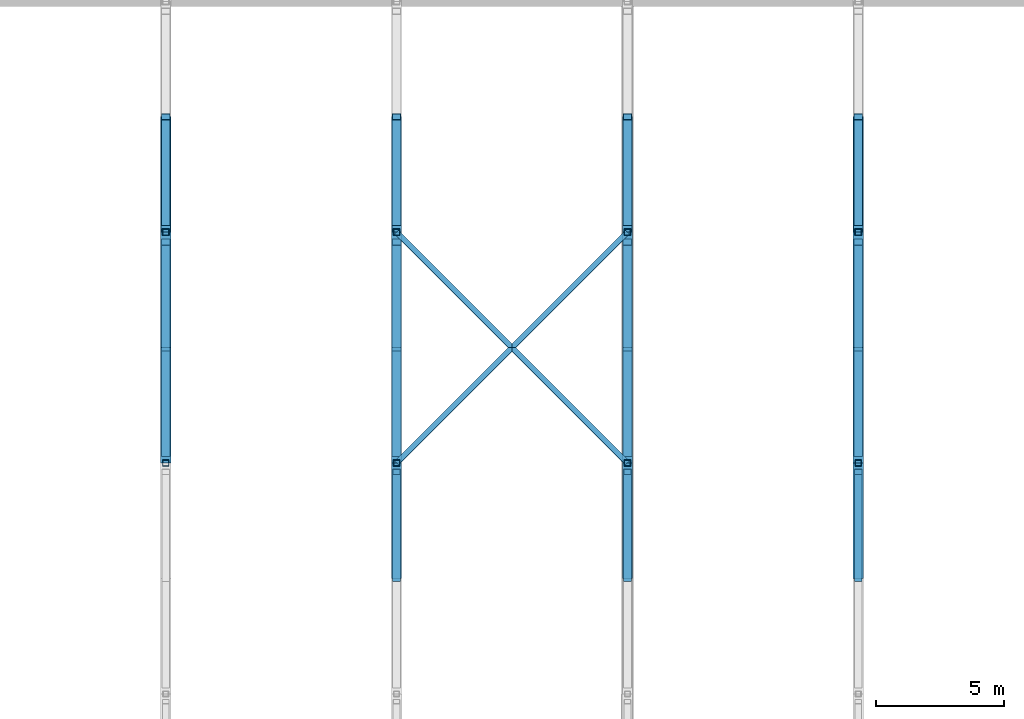
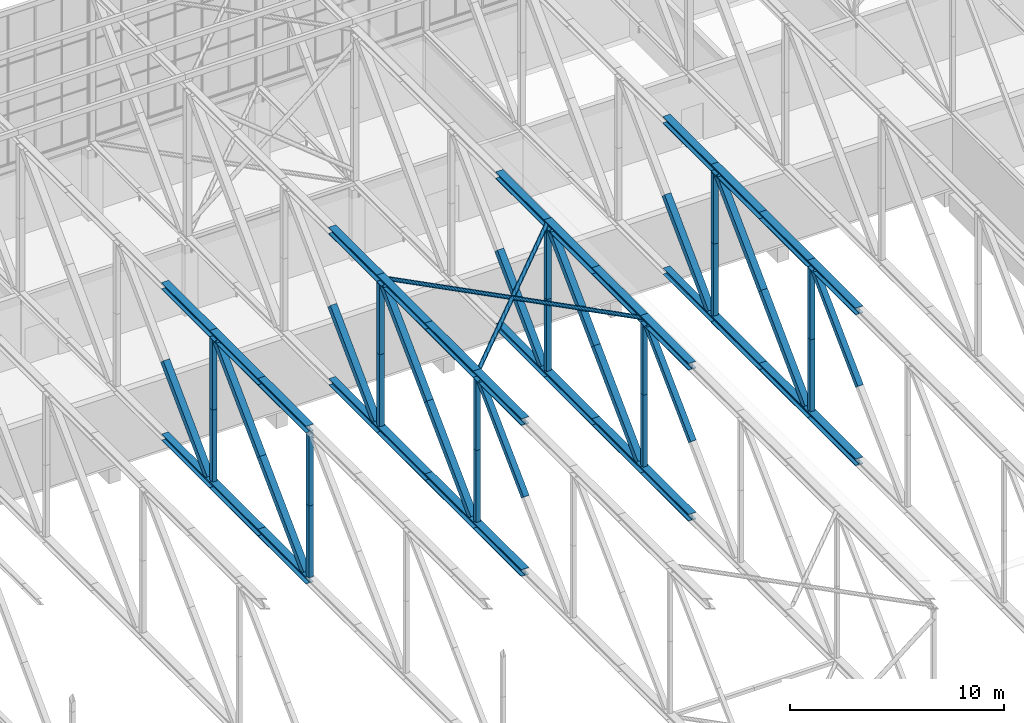
# One storey, part 76 of 646: 65 members.
"""IFC4 building model written with IfcOpenShell, lengths in metres."""

from ifc_helpers import new_model, si_unit, direction, frame, origin, origin_2d, place, context, subcontext, project, spatial, hollow_rectangle, hollow_circle, i_section, extrude, material, material_profile, profile_set, type_object, element, save


model = new_model("IFC4")

# Units and contexts
model_context = context("Model", 3, precision=1e-05, world=origin(), true_north=direction((0.0, 1.0)))
body_context = subcontext(model_context, "Body", "Model", "MODEL_VIEW")
ifc_project = project(units=[si_unit("LENGTHUNIT", "METRE"), si_unit("AREAUNIT", "SQUARE_METRE"), si_unit("VOLUMEUNIT", "CUBIC_METRE"), si_unit("PLANEANGLEUNIT", "RADIAN"), si_unit("MASSUNIT", "GRAM", prefix="KILO")], contexts=[model_context])

# Site, building, storey
site_placement = place(None, origin())
site = spatial("IfcSite", under=ifc_project, at=site_placement, CompositionType="ELEMENT")
building_placement = place(site_placement, origin())
building = spatial("IfcBuilding", under=site, at=building_placement, Name="Silverbay Arena", CompositionType="ELEMENT")
storey_placement = place(building_placement, frame((0.0, 0.0, 33.5)))
storey = spatial("IfcBuildingStorey", under=building, at=storey_placement, Name="L05", CompositionType="ELEMENT", Elevation=33.5)

# Members
ifc_material_1 = material(Name="Steel S355", Category="steel")
ifc_material_profile_1 = material_profile(ifc_material_1, i_section(OverallWidth=0.37255859375, OverallDepth=0.3681640625, WebThickness=0.014404296875, FlangeThickness=0.023681640625, at=origin_2d()), Name="UC 356x368x177")
ifc_profile_set_1 = profile_set([ifc_material_profile_1], Name="Steel S355")
member_type_1 = type_object("IfcMemberType", Name="Main-span bottom chord UC 356x368x177", PredefinedType="CHORD", material=ifc_profile_set_1)
for number, where, z_axis, x_axis, name in (
    (1, (117.0, 117.0, 4.18408203125), (0.0, 1.0, 0.0), (-1.0, 0.0, 0.0), "ROOF TRUSS 14 bottom chord 13a"),
    (2, (126.0, 117.0, 4.18408203125), (0.0, 1.0, 0.0), (-1.0, 0.0, 0.0), "ROOF TRUSS 15 bottom chord 13a"),
    (3, (135.0, 117.0, 4.18408203125), (0.0, 1.0, 0.0), (-1.0, 0.0, 0.0), "ROOF TRUSS 16 bottom chord 13a"),
    (4, (144.0, 117.0, 4.18408203125), (0.0, 1.0, 0.0), (-1.0, 0.0, 0.0), "ROOF TRUSS 17 bottom chord 13a"),
):
    element("IfcMember", number, at=place(storey_placement, frame(where, z_axis=z_axis, x_axis=x_axis)), inside=storey, type_object=member_type_1, Name=name, PredefinedType="CHORD", context=body_context, shape_type="SweptSolid", body=[
        extrude(i_section(OverallWidth=0.37255859375, OverallDepth=0.3681640625, WebThickness=0.014404296875, FlangeThickness=0.023681640625, at=origin_2d()), origin(), (0.0, 0.0, 1.0), 4.5),
    ])
ifc_material_2 = material(Name="Steel S355", Category="steel")
ifc_material_profile_2 = material_profile(ifc_material_2, i_section(OverallWidth=0.403076171875, OverallDepth=0.406494140625, WebThickness=0.026611328125, FlangeThickness=0.04296875, at=origin_2d()), Name="UC 356x406x340")
ifc_profile_set_2 = profile_set([ifc_material_profile_2], Name="Steel S355")
member_type_2 = type_object("IfcMemberType", Name="Main-span bottom chord UC 356x406x340", PredefinedType="CHORD", material=ifc_profile_set_2)
for number, where, z_axis, x_axis, name in (
    (5, (117.0, 108.0, 4.203125), (0.0, 1.0, 0.0), (-1.0, 0.0, 0.0), "ROOF TRUSS 14 bottom chord 12a"),
    (6, (117.0, 112.5, 4.203125), (0.0, 1.0, 0.0), (-1.0, 0.0, 0.0), "ROOF TRUSS 14 bottom chord 12b"),
    (7, (126.0, 103.5, 4.203125), (0.0, 1.0, 0.0), (-1.0, 0.0, 0.0), "ROOF TRUSS 15 bottom chord 11b"),
    (8, (126.0, 108.0, 4.203125), (0.0, 1.0, 0.0), (-1.0, 0.0, 0.0), "ROOF TRUSS 15 bottom chord 12a"),
    (9, (126.0, 112.5, 4.203125), (0.0, 1.0, 0.0), (-1.0, 0.0, 0.0), "ROOF TRUSS 15 bottom chord 12b"),
    (10, (135.0, 103.5, 4.203125), (0.0, 1.0, 0.0), (-1.0, 0.0, 0.0), "ROOF TRUSS 16 bottom chord 11b"),
    (11, (135.0, 108.0, 4.203125), (0.0, 1.0, 0.0), (-1.0, 0.0, 0.0), "ROOF TRUSS 16 bottom chord 12a"),
    (12, (135.0, 112.5, 4.203125), (0.0, 1.0, 0.0), (-1.0, 0.0, 0.0), "ROOF TRUSS 16 bottom chord 12b"),
    (13, (144.0, 103.5, 4.203125), (0.0, 1.0, 0.0), (-1.0, 0.0, 0.0), "ROOF TRUSS 17 bottom chord 11b"),
    (14, (144.0, 108.0, 4.203125), (0.0, 1.0, 0.0), (-1.0, 0.0, 0.0), "ROOF TRUSS 17 bottom chord 12a"),
    (15, (144.0, 112.5, 4.203125), (0.0, 1.0, 0.0), (-1.0, 0.0, 0.0), "ROOF TRUSS 17 bottom chord 12b"),
):
    element("IfcMember", number, at=place(storey_placement, frame(where, z_axis=z_axis, x_axis=x_axis)), inside=storey, type_object=member_type_2, Name=name, PredefinedType="CHORD", context=body_context, shape_type="SweptSolid", body=[
        extrude(i_section(OverallWidth=0.403076171875, OverallDepth=0.406494140625, WebThickness=0.026611328125, FlangeThickness=0.04296875, at=origin_2d()), origin(), (0.0, 0.0, 1.0), 4.5),
    ])
ifc_material_3 = material(Name="Steel S355", Category="steel")
ifc_material_profile_3 = material_profile(ifc_material_3, i_section(OverallWidth=0.39892578125, OverallDepth=0.3935546875, WebThickness=0.022705078125, FlangeThickness=0.03662109375, at=origin_2d()), Name="UC 356x406x287")
ifc_profile_set_3 = profile_set([ifc_material_profile_3], Name="Steel S355")
member_type_3 = type_object("IfcMemberType", Name="Main-span top chord UC 356x406x287", PredefinedType="CHORD", material=ifc_profile_set_3)
for number, where, z_axis, x_axis, name in (
    (16, (117.0, 117.0, 12.80322265625), (0.0, 1.0, 0.0), (-1.0, 0.0, 0.0), "ROOF TRUSS 14 top chord 13a"),
    (17, (126.0, 117.0, 12.80322265625), (0.0, 1.0, 0.0), (-1.0, 0.0, 0.0), "ROOF TRUSS 15 top chord 13a"),
    (18, (135.0, 117.0, 12.80322265625), (0.0, 1.0, 0.0), (-1.0, 0.0, 0.0), "ROOF TRUSS 16 top chord 13a"),
    (19, (144.0, 117.0, 12.80322265625), (0.0, 1.0, 0.0), (-1.0, 0.0, 0.0), "ROOF TRUSS 17 top chord 13a"),
):
    element("IfcMember", number, at=place(storey_placement, frame(where, z_axis=z_axis, x_axis=x_axis)), inside=storey, type_object=member_type_3, Name=name, PredefinedType="CHORD", context=body_context, shape_type="SweptSolid", body=[
        extrude(i_section(OverallWidth=0.39892578125, OverallDepth=0.3935546875, WebThickness=0.022705078125, FlangeThickness=0.03662109375, at=origin_2d()), origin(), (0.0, 0.0, 1.0), 4.5),
    ])
ifc_material_4 = material(Name="Steel S355", Category="steel")
ifc_material_profile_4 = material_profile(ifc_material_4, i_section(OverallWidth=0.403076171875, OverallDepth=0.406494140625, WebThickness=0.026611328125, FlangeThickness=0.04296875, at=origin_2d()), Name="UC 356x406x340")
ifc_profile_set_4 = profile_set([ifc_material_profile_4], Name="Steel S355")
member_type_4 = type_object("IfcMemberType", Name="Main-span top chord UC 356x406x340", PredefinedType="CHORD", material=ifc_profile_set_4)
for number, where, z_axis, x_axis, name in (
    (20, (117.0, 108.0, 12.796875), (0.0, 1.0, 0.0), (-1.0, 0.0, 0.0), "ROOF TRUSS 14 top chord 12a"),
    (21, (117.0, 112.5, 12.796875), (0.0, 1.0, 0.0), (-1.0, 0.0, 0.0), "ROOF TRUSS 14 top chord 12b"),
    (22, (126.0, 103.5, 12.796875), (0.0, 1.0, 0.0), (-1.0, 0.0, 0.0), "ROOF TRUSS 15 top chord 11b"),
    (23, (126.0, 108.0, 12.796875), (0.0, 1.0, 0.0), (-1.0, 0.0, 0.0), "ROOF TRUSS 15 top chord 12a"),
    (24, (126.0, 112.5, 12.796875), (0.0, 1.0, 0.0), (-1.0, 0.0, 0.0), "ROOF TRUSS 15 top chord 12b"),
    (25, (135.0, 103.5, 12.796875), (0.0, 1.0, 0.0), (-1.0, 0.0, 0.0), "ROOF TRUSS 16 top chord 11b"),
    (26, (135.0, 108.0, 12.796875), (0.0, 1.0, 0.0), (-1.0, 0.0, 0.0), "ROOF TRUSS 16 top chord 12a"),
    (27, (135.0, 112.5, 12.796875), (0.0, 1.0, 0.0), (-1.0, 0.0, 0.0), "ROOF TRUSS 16 top chord 12b"),
    (28, (144.0, 103.5, 12.796875), (0.0, 1.0, 0.0), (-1.0, 0.0, 0.0), "ROOF TRUSS 17 top chord 11b"),
    (29, (144.0, 108.0, 12.796875), (0.0, 1.0, 0.0), (-1.0, 0.0, 0.0), "ROOF TRUSS 17 top chord 12a"),
    (30, (144.0, 112.5, 12.796875), (0.0, 1.0, 0.0), (-1.0, 0.0, 0.0), "ROOF TRUSS 17 top chord 12b"),
):
    element("IfcMember", number, at=place(storey_placement, frame(where, z_axis=z_axis, x_axis=x_axis)), inside=storey, type_object=member_type_4, Name=name, PredefinedType="CHORD", context=body_context, shape_type="SweptSolid", body=[
        extrude(i_section(OverallWidth=0.403076171875, OverallDepth=0.406494140625, WebThickness=0.026611328125, FlangeThickness=0.04296875, at=origin_2d()), origin(), (0.0, 0.0, 1.0), 4.5),
    ])
ifc_material_5 = material(Name="Steel S355", Category="steel")
ifc_material_profile_5 = material_profile(ifc_material_5, hollow_rectangle(XDim=0.300048828125, YDim=0.300048828125, WallThickness=0.012451171875, at=origin_2d()), Name="SHS 300x300x12.5")
ifc_profile_set_5 = profile_set([ifc_material_profile_5], Name="Steel S355")
member_type_5 = type_object("IfcMemberType", Name="Main-span truss diagonal SHS 300x300x12.5", PredefinedType="BRACE", material=ifc_profile_set_5)
for number, where, z_axis, x_axis, name in (
    (31, (126.0, 107.652099609375, 12.593505859375), (0.0, -0.712752446816, -0.701415675301), (1.0, 0.0, 0.0), "ROOF TRUSS 15 diagonal 11a"),
    (32, (135.0, 107.652099609375, 12.593505859375), (0.0, -0.712752446816, -0.701415675301), (1.0, 0.0, 0.0), "ROOF TRUSS 16 diagonal 11a"),
    (33, (144.0, 107.652099609375, 12.593505859375), (0.0, -0.712752446816, -0.701415675301), (1.0, 0.0, 0.0), "ROOF TRUSS 17 diagonal 11a"),
):
    element("IfcMember", number, at=place(storey_placement, frame(where, z_axis=z_axis, x_axis=x_axis)), inside=storey, type_object=member_type_5, Name=name, PredefinedType="BRACE", context=body_context, shape_type="SweptSolid", body=[
        extrude(hollow_rectangle(XDim=0.300048828125, YDim=0.300048828125, WallThickness=0.012451171875, at=origin_2d()), origin(), (0.0, 0.0, 1.0), 5.836181640625),
    ])
ifc_material_6 = material(Name="Steel S355", Category="steel")
ifc_material_profile_6 = material_profile(ifc_material_6, hollow_rectangle(XDim=0.35009765625, YDim=0.35009765625, WallThickness=0.012451171875, at=origin_2d()), Name="SHS 350x350x12.5")
ifc_profile_set_6 = profile_set([ifc_material_profile_6], Name="Steel S355")
member_type_6 = type_object("IfcMemberType", Name="Main-span truss diagonal SHS 350x350x12.5", PredefinedType="BRACE", material=ifc_profile_set_6)
for number, where, z_axis, x_axis, name in (
    (34, (117.0, 116.60986328125, 12.593505859375), (0.0, -0.708724844097, -0.705485007182), (1.0, 0.0, 0.0), "ROOF TRUSS 14 diagonal 12a"),
    (35, (117.0, 112.49755859375, 8.5), (0.0, -0.708745784671, -0.705463969818), (1.0, 0.0, 0.0), "ROOF TRUSS 14 diagonal 12b"),
    (36, (126.0, 116.60986328125, 12.593505859375), (0.0, -0.708724844097, -0.705485007182), (1.0, 0.0, 0.0), "ROOF TRUSS 15 diagonal 12a"),
    (37, (126.0, 112.49755859375, 8.5), (0.0, -0.708745784671, -0.705463969818), (1.0, 0.0, 0.0), "ROOF TRUSS 15 diagonal 12b"),
    (38, (135.0, 116.60986328125, 12.593505859375), (0.0, -0.708724844097, -0.705485007182), (1.0, 0.0, 0.0), "ROOF TRUSS 16 diagonal 12a"),
    (39, (135.0, 112.49755859375, 8.5), (0.0, -0.708745784671, -0.705463969818), (1.0, 0.0, 0.0), "ROOF TRUSS 16 diagonal 12b"),
    (40, (144.0, 116.60986328125, 12.593505859375), (0.0, -0.708724844097, -0.705485007182), (1.0, 0.0, 0.0), "ROOF TRUSS 17 diagonal 12a"),
    (41, (144.0, 112.49755859375, 8.5), (0.0, -0.708745784671, -0.705463969818), (1.0, 0.0, 0.0), "ROOF TRUSS 17 diagonal 12b"),
):
    element("IfcMember", number, at=place(storey_placement, frame(where, z_axis=z_axis, x_axis=x_axis)), inside=storey, type_object=member_type_6, Name=name, PredefinedType="BRACE", context=body_context, shape_type="SweptSolid", body=[
        extrude(hollow_rectangle(XDim=0.35009765625, YDim=0.35009765625, WallThickness=0.012451171875, at=origin_2d()), origin(), (0.0, 0.0, 1.0), 5.802490234375),
    ])
ifc_material_7 = material(Name="Steel S355", Category="steel")
ifc_material_profile_7 = material_profile(ifc_material_7, hollow_rectangle(XDim=0.35009765625, YDim=0.35009765625, WallThickness=0.01416015625, at=origin_2d()), Name="SHS 350x350x14.2")
ifc_profile_set_7 = profile_set([ifc_material_profile_7], Name="Steel S355")
member_type_7 = type_object("IfcMemberType", Name="Main-span truss diagonal SHS 350x350x14.2", PredefinedType="BRACE", material=ifc_profile_set_7)
for number, where, z_axis, x_axis, name in (
    (42, (117.0, 121.5, 8.4873046875), (0.0, -0.706393232016, -0.707819611033), (1.0, 0.0, 0.0), "ROOF TRUSS 14 diagonal 13b"),
    (43, (126.0, 121.5, 8.4873046875), (0.0, -0.706393232016, -0.707819611033), (1.0, 0.0, 0.0), "ROOF TRUSS 15 diagonal 13b"),
    (44, (135.0, 121.5, 8.4873046875), (0.0, -0.706393232016, -0.707819611033), (1.0, 0.0, 0.0), "ROOF TRUSS 16 diagonal 13b"),
    (45, (144.0, 121.5, 8.4873046875), (0.0, -0.706393232016, -0.707819611033), (1.0, 0.0, 0.0), "ROOF TRUSS 17 diagonal 13b"),
):
    element("IfcMember", number, at=place(storey_placement, frame(where, z_axis=z_axis, x_axis=x_axis)), inside=storey, type_object=member_type_7, Name=name, PredefinedType="BRACE", context=body_context, shape_type="SweptSolid", body=[
        extrude(hollow_rectangle(XDim=0.35009765625, YDim=0.35009765625, WallThickness=0.01416015625, at=origin_2d()), origin(), (0.0, 0.0, 1.0), 5.819580078125),
    ])
ifc_material_8 = material(Name="Steel S355", Category="steel")
ifc_material_profile_8 = material_profile(ifc_material_8, hollow_rectangle(XDim=0.25, YDim=0.25, WallThickness=0.010009765625, at=origin_2d()), Name="SHS 250x250x10")
ifc_profile_set_8 = profile_set([ifc_material_profile_8], Name="Steel S355")
member_type_8 = type_object("IfcMemberType", Name="Main-span truss vertical SHS 250x250x10", PredefinedType="STRUT", material=ifc_profile_set_8)
for number, where, z_axis, x_axis, name in (
    (46, (117.0, 108.0, 4.406494140625), (0.0, 0.0, 1.0), (1.0, 0.0, 0.0), "ROOF TRUSS 14 vertical 12a"),
    (47, (117.0, 108.0, 8.5), (0.0, 0.0, 1.0), (1.0, 0.0, 0.0), "ROOF TRUSS 14 vertical 12b"),
    (48, (126.0, 108.0, 4.406494140625), (0.0, 0.0, 1.0), (1.0, 0.0, 0.0), "ROOF TRUSS 15 vertical 12a"),
    (49, (126.0, 108.0, 8.5), (0.0, 0.0, 1.0), (1.0, 0.0, 0.0), "ROOF TRUSS 15 vertical 12b"),
    (50, (135.0, 108.0, 4.406494140625), (0.0, 0.0, 1.0), (1.0, 0.0, 0.0), "ROOF TRUSS 16 vertical 12a"),
    (51, (135.0, 108.0, 8.5), (0.0, 0.0, 1.0), (1.0, 0.0, 0.0), "ROOF TRUSS 16 vertical 12b"),
    (52, (144.0, 108.0, 4.406494140625), (0.0, 0.0, 1.0), (1.0, 0.0, 0.0), "ROOF TRUSS 17 vertical 12a"),
    (53, (144.0, 108.0, 8.5), (0.0, 0.0, 1.0), (1.0, 0.0, 0.0), "ROOF TRUSS 17 vertical 12b"),
):
    element("IfcMember", number, at=place(storey_placement, frame(where, z_axis=z_axis, x_axis=x_axis)), inside=storey, type_object=member_type_8, Name=name, PredefinedType="STRUT", context=body_context, shape_type="SweptSolid", body=[
        extrude(hollow_rectangle(XDim=0.25, YDim=0.25, WallThickness=0.010009765625, at=origin_2d()), origin(), (0.0, 0.0, 1.0), 4.093505859375),
    ])
ifc_material_9 = material(Name="Steel S355", Category="steel")
ifc_material_profile_9 = material_profile(ifc_material_9, hollow_rectangle(XDim=0.260009765625, YDim=0.260009765625, WallThickness=0.010009765625, at=origin_2d()), Name="SHS 260x260x10")
ifc_profile_set_9 = profile_set([ifc_material_profile_9], Name="Steel S355")
member_type_9 = type_object("IfcMemberType", Name="Main-span truss vertical SHS 260x260x10", PredefinedType="STRUT", material=ifc_profile_set_9)
for number, where, z_axis, x_axis, name in (
    (54, (117.0, 117.0, 4.406494140625), (0.0, 0.0, 1.0), (1.0, 0.0, 0.0), "ROOF TRUSS 14 vertical 13a"),
    (55, (117.0, 117.0, 8.5), (0.0, 0.0, 1.0), (1.0, 0.0, 0.0), "ROOF TRUSS 14 vertical 13b"),
    (56, (126.0, 117.0, 4.406494140625), (0.0, 0.0, 1.0), (1.0, 0.0, 0.0), "ROOF TRUSS 15 vertical 13a"),
    (57, (126.0, 117.0, 8.5), (0.0, 0.0, 1.0), (1.0, 0.0, 0.0), "ROOF TRUSS 15 vertical 13b"),
    (58, (135.0, 117.0, 4.406494140625), (0.0, 0.0, 1.0), (1.0, 0.0, 0.0), "ROOF TRUSS 16 vertical 13a"),
    (59, (135.0, 117.0, 8.5), (0.0, 0.0, 1.0), (1.0, 0.0, 0.0), "ROOF TRUSS 16 vertical 13b"),
    (60, (144.0, 117.0, 4.406494140625), (0.0, 0.0, 1.0), (1.0, 0.0, 0.0), "ROOF TRUSS 17 vertical 13a"),
    (61, (144.0, 117.0, 8.5), (0.0, 0.0, 1.0), (1.0, 0.0, 0.0), "ROOF TRUSS 17 vertical 13b"),
):
    element("IfcMember", number, at=place(storey_placement, frame(where, z_axis=z_axis, x_axis=x_axis)), inside=storey, type_object=member_type_9, Name=name, PredefinedType="STRUT", context=body_context, shape_type="SweptSolid", body=[
        extrude(hollow_rectangle(XDim=0.260009765625, YDim=0.260009765625, WallThickness=0.010009765625, at=origin_2d()), origin(), (0.0, 0.0, 1.0), 4.093505859375),
    ])
ifc_material_10 = material(Name="Steel S355", Category="steel")
ifc_material_profile_10 = material_profile(ifc_material_10, hollow_circle(Radius=0.109619140625, WallThickness=0.00634765625, at=origin_2d()), Name="CHS 219.1x6.3")
ifc_profile_set_10 = profile_set([ifc_material_profile_10], Name="Steel S355")
member_type_10 = type_object("IfcMemberType", Name="Plan bracing CHS 219.1x6.3", PredefinedType="BRACE", material=ifc_profile_set_10)
for number, where, z_axis, x_axis, name in (
    (62, (126.0, 108.0, 12.796875), (0.707106781187, 0.707106781187, 0.0), (-0.707106781187, 0.707106781187, 0.0), "ROOF BRACING top 15-16 panel 12 Aa"),
    (63, (130.5, 112.5, 12.796875), (0.707106781187, 0.707106781187, 0.0), (-0.707106781187, 0.707106781187, 0.0), "ROOF BRACING top 15-16 panel 12 Ab"),
    (64, (126.0, 117.0, 12.796875), (0.707106781187, -0.707106781187, 0.0), (0.707106781187, 0.707106781187, 0.0), "ROOF BRACING top 15-16 panel 12 Ba"),
    (65, (130.5, 112.5, 12.796875), (0.707106781187, -0.707106781187, 0.0), (0.707106781187, 0.707106781187, 0.0), "ROOF BRACING top 15-16 panel 12 Bb"),
):
    element("IfcMember", number, at=place(storey_placement, frame(where, z_axis=z_axis, x_axis=x_axis)), inside=storey, type_object=member_type_10, Name=name, PredefinedType="BRACE", context=body_context, shape_type="SweptSolid", body=[
        extrude(hollow_circle(Radius=0.109619140625, WallThickness=0.00634765625, at=origin_2d()), origin(), (0.0, 0.0, 1.0), 6.364013671875),
    ])

save(model, "model.ifc")
